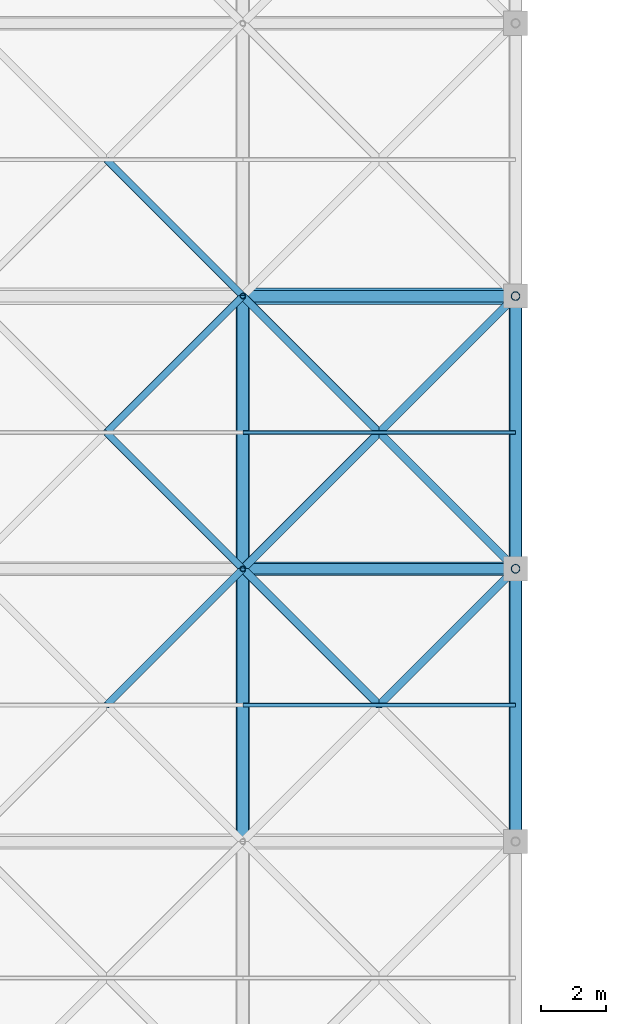
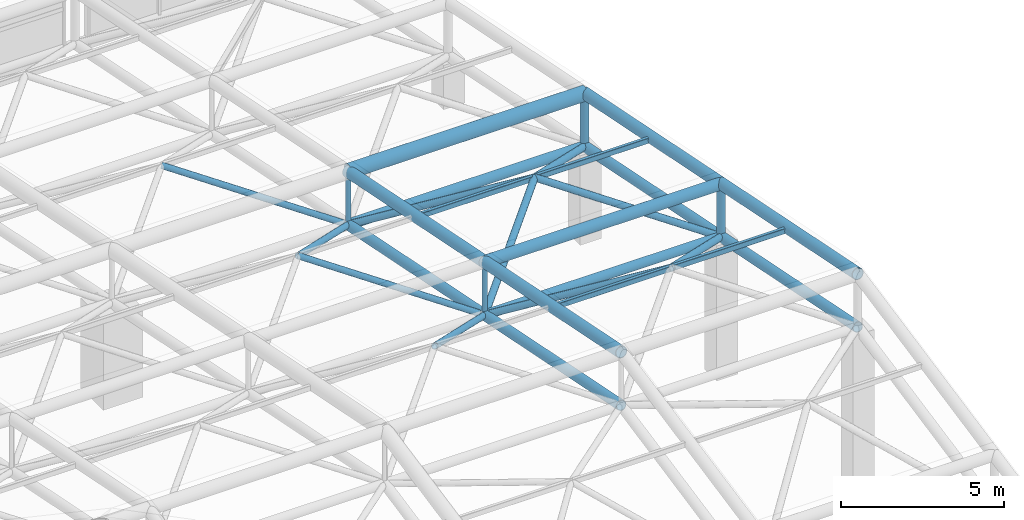
# One storey, part 56 of 81: 28 members.
"""IFC4 building model written with IfcOpenShell, lengths in metres."""

from ifc_helpers import new_model, si_unit, direction, frame, origin, origin_2d, place, context, subcontext, project, spatial, hollow_rectangle, hollow_circle, extrude, material, material_profile, profile_set, type_object, element, save


model = new_model("IFC4")

# Units and contexts
model_context = context("Model", 3, precision=1e-05, world=origin(), true_north=direction((0.0, 1.0)))
body_context = subcontext(model_context, "Body", "Model", "MODEL_VIEW")
ifc_project = project(units=[si_unit("LENGTHUNIT", "METRE"), si_unit("AREAUNIT", "SQUARE_METRE"), si_unit("VOLUMEUNIT", "CUBIC_METRE"), si_unit("PLANEANGLEUNIT", "RADIAN"), si_unit("MASSUNIT", "GRAM", prefix="KILO")], contexts=[model_context])

# Site, building, storey
site_placement = place(None, origin())
site = spatial("IfcSite", under=ifc_project, at=site_placement, CompositionType="ELEMENT")
building_placement = place(site_placement, origin())
building = spatial("IfcBuilding", under=site, at=building_placement, Name="Qawsi Khor Wholesale Market", CompositionType="ELEMENT")
storey_placement = place(building_placement, frame((0.0, 0.0, 16.199951171875)))
storey = spatial("IfcBuildingStorey", under=building, at=storey_placement, Name="L03", CompositionType="ELEMENT", Elevation=16.199951171875)

# Members
ifc_material = material(Name="Steel S355", Category="steel")
ifc_material_profile_1 = material_profile(ifc_material, hollow_circle(Radius=0.177734375, WallThickness=0.01611328125, at=origin_2d()), Name="CHS 355.6x16.0")
ifc_profile_set_1 = profile_set([ifc_material_profile_1], Name="Steel S355")
member_type_1 = type_object("IfcMemberType", Name="Space-Frame Bottom Chord CHS 355.6x16.0", PredefinedType="CHORD", material=ifc_profile_set_1)
for number, where, z_axis, x_axis, name in (
    (1, (67.199951171875, 75.60009765625, 6.77001953125), (0.0, 0.980129990483, -0.1983562496), (-1.0, 0.0, 0.0), "Space frame bottom chord Y WH (8,9)"),
    (2, (67.199951171875, 84.0, 5.070068359375), (0.0, 0.980129990483, -0.1983562496), (-1.0, 0.0, 0.0), "Space frame bottom chord Y WH (8,10)"),
):
    element("IfcMember", number, at=place(storey_placement, frame(where, z_axis=z_axis, x_axis=x_axis)), inside=storey, type_object=member_type_1, Name=name, PredefinedType="CHORD", context=body_context, shape_type="SweptSolid", body=[
        extrude(hollow_circle(Radius=0.177734375, WallThickness=0.01611328125, at=origin_2d()), origin(), (0.0, 0.0, 1.0), 8.5703125),
    ])
member_1_placement = place(storey_placement, frame((67.199951171875, 92.39990234375, 3.3701171875), z_axis=(1.0, 0.0, 0.0), x_axis=(0.0, 1.0, 0.0)))
element("IfcMember", 3, at=member_1_placement, inside=storey, type_object=member_type_1, Name="Space frame bottom chord X WH (8,11)", PredefinedType="CHORD", context=body_context, shape_type="SweptSolid", body=[
    extrude(hollow_circle(Radius=0.177734375, WallThickness=0.01611328125, at=origin_2d()), origin(), (0.0, 0.0, 1.0), 8.400146484375),
])
for number, where, z_axis, x_axis, name in (
    (4, (75.60009765625, 75.60009765625, 6.77001953125), (0.0, 0.980129990483, -0.1983562496), (-1.0, 0.0, 0.0), "Space frame bottom chord Y WH (9,9)"),
    (5, (75.60009765625, 84.0, 5.070068359375), (0.0, 0.980129990483, -0.1983562496), (-1.0, 0.0, 0.0), "Space frame bottom chord Y WH (9,10)"),
):
    element("IfcMember", number, at=place(storey_placement, frame(where, z_axis=z_axis, x_axis=x_axis)), inside=storey, type_object=member_type_1, Name=name, PredefinedType="CHORD", context=body_context, shape_type="SweptSolid", body=[
        extrude(hollow_circle(Radius=0.177734375, WallThickness=0.01611328125, at=origin_2d()), origin(), (0.0, 0.0, 1.0), 8.5703125),
    ])
ifc_material_profile_2 = material_profile(ifc_material, hollow_circle(Radius=0.136474609375, WallThickness=0.012451171875, at=origin_2d()), Name="CHS 273.0x12.5")
ifc_profile_set_2 = profile_set([ifc_material_profile_2], Name="Steel S355")
member_type_2 = type_object("IfcMemberType", Name="Space-Frame Edge Post CHS 273.0x12.5", PredefinedType="POST", material=ifc_profile_set_2)
for number, where, z_axis, x_axis, name in (
    (6, (75.60009765625, 84.0, 5.070068359375), (0.0, 0.0, 1.0), (1.0, 0.0, 0.0), "Space frame post WH (9,10)"),
    (7, (75.60009765625, 92.39990234375, 3.3701171875), (0.0, 0.0, 1.0), (1.0, 0.0, 0.0), "Space frame post WH (9,11)"),
):
    element("IfcMember", number, at=place(storey_placement, frame(where, z_axis=z_axis, x_axis=x_axis)), inside=storey, type_object=member_type_2, Name=name, PredefinedType="POST", context=body_context, shape_type="SweptSolid", body=[
        extrude(hollow_circle(Radius=0.136474609375, WallThickness=0.012451171875, at=origin_2d()), origin(), (0.0, 0.0, 1.0), 2.0),
    ])
ifc_material_profile_3 = material_profile(ifc_material, hollow_circle(Radius=0.122314453125, WallThickness=0.012451171875, at=origin_2d()), Name="CHS 244.5x12.5")
ifc_profile_set_3 = profile_set([ifc_material_profile_3], Name="Steel S355")
member_type_3 = type_object("IfcMemberType", Name="Space-Frame Heavy Diagonal CHS 244.5x12.5", PredefinedType="POST", material=ifc_profile_set_3)
for number, where, z_axis, x_axis, name in (
    (8, (75.60009765625, 84.0, 5.070068359375), (-0.637533737254, -0.637496679957, 0.432606884951), (0.70708622964, -0.707127332136, 0.0), "Space frame diagonal WH (8,9)-3"),
    (9, (67.199951171875, 84.0, 5.070068359375), (0.637511741089, -0.637511741089, 0.432617105474), (0.707106781187, 0.707106781187, 0.0), "Space frame diagonal WH (8,9)-4"),
):
    element("IfcMember", number, at=place(storey_placement, frame(where, z_axis=z_axis, x_axis=x_axis)), inside=storey, type_object=member_type_3, Name=name, PredefinedType="POST", context=body_context, shape_type="SweptSolid", body=[
        extrude(hollow_circle(Radius=0.122314453125, WallThickness=0.012451171875, at=origin_2d()), origin(), (0.0, 0.0, 1.0), 6.588134765625),
    ])
member_2_placement = place(storey_placement, frame((67.199951171875, 84.0, 5.070068359375), z_axis=(0.694216714393, 0.694216714393, 0.190069216113), x_axis=(-0.707106781187, 0.707106781187, 0.0)))
element("IfcMember", 10, at=member_2_placement, inside=storey, type_object=member_type_3, Name="Space frame diagonal WH (8,10)-1", PredefinedType="POST", context=body_context, shape_type="SweptSolid", body=[
    extrude(hollow_circle(Radius=0.122314453125, WallThickness=0.012451171875, at=origin_2d()), origin(), (0.0, 0.0, 1.0), 6.0498046875),
])
member_3_placement = place(storey_placement, frame((75.60009765625, 84.0, 5.070068359375), z_axis=(-0.694237619642, 0.694197266374, 0.19006389145), x_axis=(-0.70708622964, -0.707127332136, 0.0)))
element("IfcMember", 11, at=member_3_placement, inside=storey, type_object=member_type_3, Name="Space frame diagonal WH (8,10)-2", PredefinedType="POST", context=body_context, shape_type="SweptSolid", body=[
    extrude(hollow_circle(Radius=0.122314453125, WallThickness=0.012451171875, at=origin_2d()), origin(), (0.0, 0.0, 1.0), 6.050048828125),
])
member_4_placement = place(storey_placement, frame((75.60009765625, 92.39990234375, 3.3701171875), z_axis=(-0.637543957519, -0.637506899628, 0.432576762155), x_axis=(0.70708622964, -0.707127332136, 0.0)))
element("IfcMember", 12, at=member_4_placement, inside=storey, type_object=member_type_3, Name="Space frame diagonal WH (8,10)-3", PredefinedType="POST", context=body_context, shape_type="SweptSolid", body=[
    extrude(hollow_circle(Radius=0.122314453125, WallThickness=0.012451171875, at=origin_2d()), origin(), (0.0, 0.0, 1.0), 6.588134765625),
])
member_5_placement = place(storey_placement, frame((67.199951171875, 92.39990234375, 3.3701171875), z_axis=(0.637521961484, -0.637521961484, 0.432586982294), x_axis=(0.707106781187, 0.707106781187, 0.0)))
element("IfcMember", 13, at=member_5_placement, inside=storey, type_object=member_type_3, Name="Space frame diagonal WH (8,10)-4", PredefinedType="POST", context=body_context, shape_type="SweptSolid", body=[
    extrude(hollow_circle(Radius=0.122314453125, WallThickness=0.012451171875, at=origin_2d()), origin(), (0.0, 0.0, 1.0), 6.587890625),
])
ifc_material_profile_4 = material_profile(ifc_material, hollow_rectangle(XDim=0.1201171875, YDim=0.199951171875, WallThickness=0.008056640625, InnerFilletRadius=0.008056640625, OuterFilletRadius=0.01611328125, at=origin_2d()), Name="RHS 200x120x8.0")
ifc_profile_set_4 = profile_set([ifc_material_profile_4], Name="Steel S355")
member_type_4 = type_object("IfcMemberType", Name="Space-Frame Heavy Purlin RHS 200x120x8.0", PredefinedType="PURLIN", material=ifc_profile_set_4)
for number, where, z_axis, x_axis, name in (
    (14, (67.199951171875, 79.800048828125, 7.920166015625), (1.0, 0.0, 0.0), (0.0, 1.0, 0.0), "Space frame purlin WH (8,9)"),
    (15, (67.199951171875, 88.199951171875, 6.219970703125), (1.0, 0.0, 0.0), (0.0, 1.0, 0.0), "Space frame purlin WH (8,10)"),
):
    element("IfcMember", number, at=place(storey_placement, frame(where, z_axis=z_axis, x_axis=x_axis)), inside=storey, type_object=member_type_4, Name=name, PredefinedType="PURLIN", context=body_context, shape_type="SweptSolid", body=[
        extrude(hollow_rectangle(XDim=0.1201171875, YDim=0.199951171875, WallThickness=0.008056640625, InnerFilletRadius=0.008056640625, OuterFilletRadius=0.01611328125, at=origin_2d()), origin(), (0.0, 0.0, 1.0), 8.400146484375),
    ])
ifc_material_profile_5 = material_profile(ifc_material, hollow_circle(Radius=0.109619140625, WallThickness=0.010009765625, at=origin_2d()), Name="CHS 219.1x10.0")
ifc_profile_set_5 = profile_set([ifc_material_profile_5], Name="Steel S355")
member_type_5 = type_object("IfcMemberType", Name="Space-Frame Inner Diagonal CHS 219.1x10.0", PredefinedType="RAFTER", material=ifc_profile_set_5)
member_6_placement = place(storey_placement, frame((67.199951171875, 84.0, 5.070068359375), z_axis=(-0.637511741089, -0.637511741089, 0.432617105474), x_axis=(0.707106781187, -0.707106781187, 0.0)))
element("IfcMember", 16, at=member_6_placement, inside=storey, type_object=member_type_5, Name="Space frame diagonal WH (7,9)-3", PredefinedType="RAFTER", context=body_context, shape_type="SweptSolid", body=[
    extrude(hollow_circle(Radius=0.109619140625, WallThickness=0.010009765625, at=origin_2d()), origin(), (0.0, 0.0, 1.0), 6.588134765625),
])
member_7_placement = place(storey_placement, frame((67.199951171875, 84.0, 5.070068359375), z_axis=(-0.694216714393, 0.694216714393, 0.190069216113), x_axis=(-0.707106781187, -0.707106781187, 0.0)))
element("IfcMember", 17, at=member_7_placement, inside=storey, type_object=member_type_5, Name="Space frame diagonal WH (7,10)-2", PredefinedType="RAFTER", context=body_context, shape_type="SweptSolid", body=[
    extrude(hollow_circle(Radius=0.109619140625, WallThickness=0.010009765625, at=origin_2d()), origin(), (0.0, 0.0, 1.0), 6.0498046875),
])
member_8_placement = place(storey_placement, frame((67.199951171875, 92.39990234375, 3.3701171875), z_axis=(-0.637521961484, -0.637521961484, 0.432586982294), x_axis=(0.707106781187, -0.707106781187, 0.0)))
element("IfcMember", 18, at=member_8_placement, inside=storey, type_object=member_type_5, Name="Space frame diagonal WH (7,10)-3", PredefinedType="RAFTER", context=body_context, shape_type="SweptSolid", body=[
    extrude(hollow_circle(Radius=0.109619140625, WallThickness=0.010009765625, at=origin_2d()), origin(), (0.0, 0.0, 1.0), 6.587890625),
])
member_9_placement = place(storey_placement, frame((67.199951171875, 92.39990234375, 3.3701171875), z_axis=(-0.694197266374, 0.694237619642, 0.19006389145), x_axis=(-0.707127332136, -0.70708622964, 0.0)))
element("IfcMember", 19, at=member_9_placement, inside=storey, type_object=member_type_5, Name="Space frame diagonal WH (7,11)-2", PredefinedType="RAFTER", context=body_context, shape_type="SweptSolid", body=[
    extrude(hollow_circle(Radius=0.109619140625, WallThickness=0.010009765625, at=origin_2d()), origin(), (0.0, 0.0, 1.0), 6.050048828125),
])
ifc_material_profile_6 = material_profile(ifc_material, hollow_circle(Radius=0.25390625, WallThickness=0.02490234375, at=origin_2d()), Name="CHS 508.0x25.0")
ifc_profile_set_6 = profile_set([ifc_material_profile_6], Name="Steel S355")
member_type_6 = type_object("IfcMemberType", Name="Space-Frame Main Chord CHS 508.0x25.0", PredefinedType="CHORD", material=ifc_profile_set_6)
member_10_placement = place(storey_placement, frame((67.199951171875, 92.39990234375, 5.3701171875), z_axis=(1.0, 0.0, 0.0), x_axis=(0.0, 1.0, 0.0)))
element("IfcMember", 20, at=member_10_placement, inside=storey, type_object=member_type_6, Name="Space frame top chord X WH (8,11)", PredefinedType="CHORD", context=body_context, shape_type="SweptSolid", body=[
    extrude(hollow_circle(Radius=0.25390625, WallThickness=0.02490234375, at=origin_2d()), origin(), (0.0, 0.0, 1.0), 8.400146484375),
])
ifc_material_profile_7 = material_profile(ifc_material, hollow_circle(Radius=0.161865234375, WallThickness=0.01611328125, at=origin_2d()), Name="CHS 323.9x16.0")
ifc_profile_set_7 = profile_set([ifc_material_profile_7], Name="Steel S355")
member_type_7 = type_object("IfcMemberType", Name="Space-Frame Secondary Chord CHS 323.9x16.0", PredefinedType="CHORD", material=ifc_profile_set_7)
member_11_placement = place(storey_placement, frame((67.199951171875, 84.0, 5.070068359375), z_axis=(1.0, 0.0, 0.0), x_axis=(0.0, 1.0, 0.0)))
element("IfcMember", 21, at=member_11_placement, inside=storey, type_object=member_type_7, Name="Space frame bottom chord X WH (8,10)", PredefinedType="CHORD", context=body_context, shape_type="SweptSolid", body=[
    extrude(hollow_circle(Radius=0.161865234375, WallThickness=0.01611328125, at=origin_2d()), origin(), (0.0, 0.0, 1.0), 8.400146484375),
])
ifc_material_profile_8 = material_profile(ifc_material, hollow_circle(Radius=0.203125, WallThickness=0.02001953125, at=origin_2d()), Name="CHS 406.4x20.0")
ifc_profile_set_8 = profile_set([ifc_material_profile_8], Name="Steel S355")
member_type_8 = type_object("IfcMemberType", Name="Space-Frame Top Chord CHS 406.4x20.0", PredefinedType="CHORD", material=ifc_profile_set_8)
member_12_placement = place(storey_placement, frame((67.199951171875, 75.60009765625, 8.77001953125), z_axis=(0.0, 0.980129990483, -0.1983562496), x_axis=(-1.0, 0.0, 0.0)))
element("IfcMember", 22, at=member_12_placement, inside=storey, type_object=member_type_8, Name="Space frame top chord Y WH (8,9)", PredefinedType="CHORD", context=body_context, shape_type="SweptSolid", body=[
    extrude(hollow_circle(Radius=0.203125, WallThickness=0.02001953125, at=origin_2d()), origin(), (0.0, 0.0, 1.0), 8.5703125),
])
member_13_placement = place(storey_placement, frame((67.199951171875, 84.0, 7.070068359375), z_axis=(1.0, 0.0, 0.0), x_axis=(0.0, 1.0, 0.0)))
element("IfcMember", 23, at=member_13_placement, inside=storey, type_object=member_type_8, Name="Space frame top chord X WH (8,10)", PredefinedType="CHORD", context=body_context, shape_type="SweptSolid", body=[
    extrude(hollow_circle(Radius=0.203125, WallThickness=0.02001953125, at=origin_2d()), origin(), (0.0, 0.0, 1.0), 8.400146484375),
])
for number, where, z_axis, x_axis, name in (
    (24, (67.199951171875, 84.0, 7.070068359375), (0.0, 0.980129990483, -0.1983562496), (-1.0, 0.0, 0.0), "Space frame top chord Y WH (8,10)"),
    (25, (75.60009765625, 75.60009765625, 8.77001953125), (0.0, 0.980129990483, -0.1983562496), (-1.0, 0.0, 0.0), "Space frame top chord Y WH (9,9)"),
    (26, (75.60009765625, 84.0, 7.070068359375), (0.0, 0.980129990483, -0.1983562496), (-1.0, 0.0, 0.0), "Space frame top chord Y WH (9,10)"),
):
    element("IfcMember", number, at=place(storey_placement, frame(where, z_axis=z_axis, x_axis=x_axis)), inside=storey, type_object=member_type_8, Name=name, PredefinedType="CHORD", context=body_context, shape_type="SweptSolid", body=[
        extrude(hollow_circle(Radius=0.203125, WallThickness=0.02001953125, at=origin_2d()), origin(), (0.0, 0.0, 1.0), 8.5703125),
    ])
ifc_material_profile_9 = material_profile(ifc_material, hollow_circle(Radius=0.084228515625, WallThickness=0.008056640625, at=origin_2d()), Name="CHS 168.3x8.0")
ifc_profile_set_9 = profile_set([ifc_material_profile_9], Name="Steel S355")
member_type_9 = type_object("IfcMemberType", Name="Space-Frame Vertical Strut CHS 168.3x8.0", PredefinedType="STRUT", material=ifc_profile_set_9)
for number, where, z_axis, x_axis, name in (
    (27, (67.199951171875, 84.0, 5.070068359375), (0.0, 0.0, 1.0), (1.0, 0.0, 0.0), "Space frame post WH (8,10)"),
    (28, (67.199951171875, 92.39990234375, 3.3701171875), (0.0, 0.0, 1.0), (1.0, 0.0, 0.0), "Space frame post WH (8,11)"),
):
    element("IfcMember", number, at=place(storey_placement, frame(where, z_axis=z_axis, x_axis=x_axis)), inside=storey, type_object=member_type_9, Name=name, PredefinedType="STRUT", context=body_context, shape_type="SweptSolid", body=[
        extrude(hollow_circle(Radius=0.084228515625, WallThickness=0.008056640625, at=origin_2d()), origin(), (0.0, 0.0, 1.0), 2.0),
    ])

save(model, "model.ifc")
